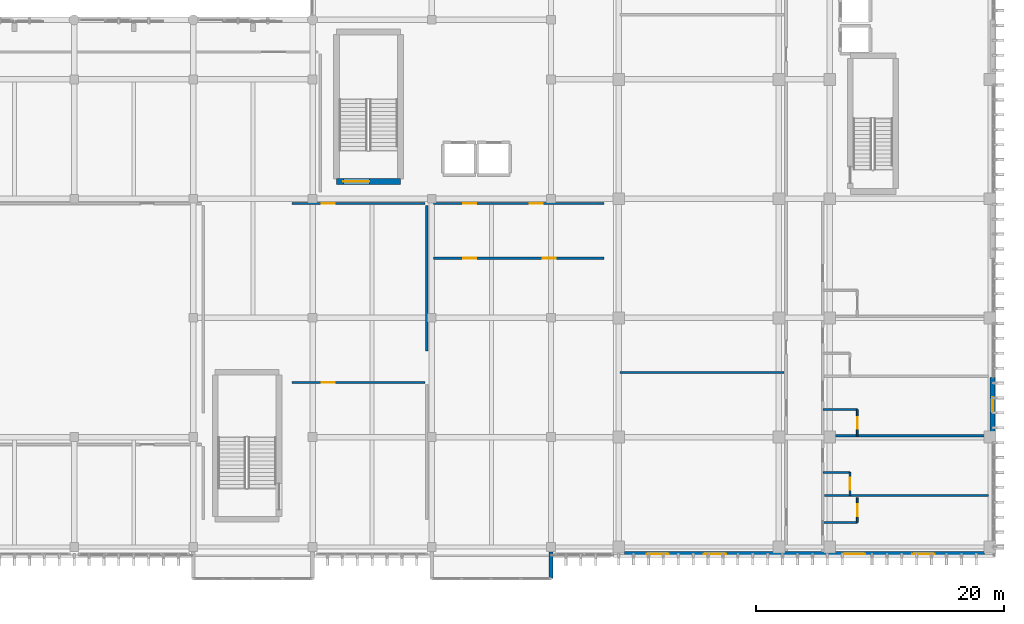
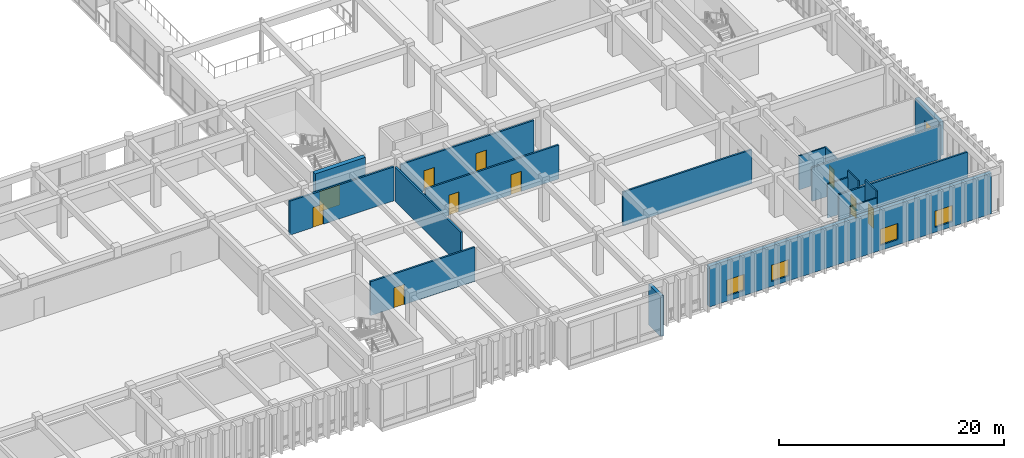
# One storey, part 103 of 133: 18 walls, 10 doors, 5 windows, 15 openings.
"""IFC4 building model written with IfcOpenShell, lengths in metres."""

from ifc_helpers import new_model, si_unit, direction, frame, frame_2d, origin, place, context, subcontext, project, spatial, rectangle, extrude, material, layer, layer_set, type_object, element, fill, save


model = new_model("IFC4")

# Units and contexts
model_context = context("Model", 3, precision=1e-05, world=origin(), true_north=direction((0.0, 1.0)))
body_context = subcontext(model_context, "Body", "Model", "MODEL_VIEW")
ifc_project = project(units=[si_unit("LENGTHUNIT", "METRE"), si_unit("AREAUNIT", "SQUARE_METRE"), si_unit("VOLUMEUNIT", "CUBIC_METRE"), si_unit("PLANEANGLEUNIT", "RADIAN"), si_unit("MASSUNIT", "GRAM", prefix="KILO")], contexts=[model_context])

# Site, building, storey
site_placement = place(None, origin())
site = spatial("IfcSite", under=ifc_project, at=site_placement, CompositionType="ELEMENT")
building_placement = place(site_placement, origin())
building = spatial("IfcBuilding", under=site, at=building_placement, Name="Nakhvara Creek Congress Hotel", CompositionType="ELEMENT")
storey_placement = place(building_placement, frame((0.0, 0.0, 11.39990234375)))
storey = spatial("IfcBuildingStorey", under=building, at=storey_placement, Name="L02", CompositionType="ELEMENT", Elevation=11.39990234375)

# Wall
ifc_material_1 = material(Name="Champagne-bronze anodised aluminium cassette", Category="aluminium")
ifc_layer_1 = layer(ifc_material_1, 0.030029296875)
ifc_material_2 = material(Name="Mineral wool thermal insulation")
ifc_layer_2 = layer(ifc_material_2, 0.10009765625)
ifc_material_3 = material(Name="Precast concrete C40/50", Category="concrete")
ifc_layer_3 = layer(ifc_material_3, 0.169921875)
ifc_layer_set_1 = layer_set([ifc_layer_1, ifc_layer_2, ifc_layer_3], Name="Precast concrete C40/50")
wall_type_1 = type_object("IfcWallType", Name="W-BOX-300", PredefinedType="SOLIDWALL", material=ifc_layer_set_1)
wall_1_placement = place(storey_placement, frame((144.0, 0.35009765625, 0.0), z_axis=(0.0, 0.0, 1.0), x_axis=(0.0, -1.0, 0.0)))
element("IfcWall", 1, at=wall_1_placement, inside=storey, type_object=wall_type_1, Name="Exterior Wall WE06-EW-L02-0083", PredefinedType="SOLIDWALL", context=body_context, shape_type="SweptSolid", body=[
    extrude(rectangle(XDim=2.150146484375, YDim=0.300048828125, at=frame_2d((1.0751953125, 0.0))), origin(), (0.0, 0.0, 1.0), 4.420166015625),
])

# Wall, opening, door
ifc_material_4 = material(Name="Concrete C50/60", Category="concrete")
ifc_layer_4 = layer(ifc_material_4, 0.449951171875)
ifc_layer_set_2 = layer_set([ifc_layer_4], Name="Concrete C50/60")
wall_type_2 = type_object("IfcWallType", Name="W-CORE-450", PredefinedType="SHEAR", material=ifc_layer_set_2)
wall_2_placement = place(storey_placement, frame((126.72998046875, 30.179931640625, 0.0), z_axis=(0.0, 0.0, 1.0), x_axis=(1.0, 0.0, 0.0)))
wall_2 = element("IfcWall", 2, at=wall_2_placement, inside=storey, type_object=wall_type_2, Name="Core Shear Wall WS02-CWALL-L02-0825", PredefinedType="SHEAR", context=body_context, shape_type="SweptSolid", body=[
    extrude(rectangle(XDim=5.14990234375, YDim=0.449951171875, at=frame_2d((2.574951171875, 0.0))), origin(), (0.0, 0.0, 1.0), 4.420166015625),
])
opening_1_placement = place(wall_2_placement, frame((0.550048828125, 0.0, 0.0)))
opening_1 = element("IfcOpeningElement", 3, at=opening_1_placement, cuts=wall_2, Name="Opening FD19", PredefinedType="OPENING", context=body_context, shape_type="SweptSolid", body=[
    extrude(rectangle(XDim=2.10009765625, YDim=2.199951171875, at=frame_2d((1.050048828125, 1.10009765625))), frame((0.0, 0.23681640625, 0.0), z_axis=(0.0, -1.0, 0.0), x_axis=(1.0, 0.0, 0.0)), (0.0, 0.0, 1.0), 0.473876953125),
])
ifc_material_5 = material(Name="Galvanised steel acoustic fire door", Category="steel")
door_type_1 = type_object("IfcDoorType", Name="DT-STAIR-220", OperationType="DOUBLE_DOOR_SINGLE_SWING", PredefinedType="DOOR", material=ifc_material_5)
door_1_placement = place(opening_1_placement, frame((2.10009765625, 0.0, 0.0), z_axis=(0.0, 0.0, 1.0), x_axis=(-1.0, 0.0, 0.0)))
door_1 = element("IfcDoor", 4, at=door_1_placement, inside=storey, type_object=door_type_1, Name="Stair Exit Door ST06-L02", OperationType="DOUBLE_DOOR_SINGLE_SWING", OverallHeight=2.199951171875, OverallWidth=2.10009765625, PredefinedType="DOOR", context=body_context, shape_type="SweptSolid", body=[
    extrude(rectangle(XDim=2.10009765625, YDim=2.199951171875, at=frame_2d((1.050048828125, 1.10009765625))), frame((0.0, 0.02490234375, 0.0), z_axis=(0.0, -1.0, 0.0), x_axis=(1.0, 0.0, 0.0)), (0.0, 0.0, 1.0), 0.050048828125),
])
fill(opening_1, door_1)

ifc_material_6 = material(Name="Moisture-resistant gypsum board partition")
ifc_layer_5 = layer(ifc_material_6, 0.139892578125)
ifc_layer_set_3 = layer_set([ifc_layer_5], Name="Moisture-resistant gypsum board partition")
wall_type_3 = type_object("IfcWallType", Name="W-ENS-140", PredefinedType="PARTITIONING", material=ifc_layer_set_3)
wall_3_placement = place(storey_placement, frame((168.669921875, 2.721923828125, 0.0), z_axis=(0.0, 0.0, 1.0), x_axis=(0.0, 1.0, 0.0)))
wall_3 = element("IfcWall", 5, at=wall_3_placement, inside=storey, type_object=wall_type_3, Name="Interior Wall WP15-IW-L02-0159", PredefinedType="PARTITIONING", context=body_context, shape_type="SweptSolid", body=[
    extrude(rectangle(XDim=1.97802734375, YDim=0.139892578125, at=frame_2d((0.989013671875, 0.0))), origin(), (0.0, 0.0, 1.0), 4.420166015625),
])
opening_2_placement = place(wall_3_placement, frame((0.513916015625, 0.0, 0.0)))
opening_2 = element("IfcOpeningElement", 6, at=opening_2_placement, cuts=wall_3, Name="Opening ID02", PredefinedType="OPENING", context=body_context, shape_type="SweptSolid", body=[
    extrude(rectangle(XDim=0.9599609375, YDim=2.1201171875, at=frame_2d((0.47998046875, 1.06005859375))), frame((0.0, 0.08203125, 0.0), z_axis=(0.0, -1.0, 0.0), x_axis=(1.0, 0.0, 0.0)), (0.0, 0.0, 1.0), 0.163818359375),
])
ifc_material_7 = material(Name="Moisture-resistant walnut timber door", Category="wood")
door_type_2 = type_object("IfcDoorType", Name="DT-ENS-096", OperationType="NOTDEFINED", PredefinedType="DOOR", material=ifc_material_7)
door_2_placement = place(opening_2_placement, frame((0.9599609375, 0.0, 0.0), z_axis=(0.0, 0.0, 1.0), x_axis=(-1.0, 0.0, 0.0)))
door_2 = element("IfcDoor", 7, at=door_2_placement, inside=storey, type_object=door_type_2, Name="Interior Door ID02-0162", OperationType="SINGLE_SWING_LEFT", OverallHeight=2.1201171875, OverallWidth=0.9599609375, PredefinedType="DOOR", context=body_context, shape_type="SweptSolid", body=[
    extrude(rectangle(XDim=0.9599609375, YDim=2.1201171875, at=frame_2d((0.47998046875, 1.06005859375))), frame((0.0, 0.02490234375, 0.0), z_axis=(0.0, -1.0, 0.0), x_axis=(1.0, 0.0, 0.0)), (0.0, 0.0, 1.0), 0.050048828125),
])
fill(opening_2, door_2)

# Wall
wall_4_placement = place(storey_placement, frame((165.919921875, 2.721923828125, 0.0), z_axis=(0.0, 0.0, 1.0), x_axis=(1.0, 0.0, 0.0)))
element("IfcWall", 8, at=wall_4_placement, inside=storey, type_object=wall_type_3, Name="Interior Wall WP15-IW-L02-0160", PredefinedType="PARTITIONING", context=body_context, shape_type="SweptSolid", body=[
    extrude(rectangle(XDim=2.75, YDim=0.139892578125, at=frame_2d((1.375, 0.0))), origin(), (0.0, 0.0, 1.0), 3.692138671875),
])

# Wall, opening, door
wall_5_placement = place(storey_placement, frame((168.070068359375, 4.89990234375, 0.0), z_axis=(0.0, 0.0, 1.0), x_axis=(0.0, 1.0, 0.0)))
wall_5 = element("IfcWall", 9, at=wall_5_placement, inside=storey, type_object=wall_type_3, Name="Interior Wall WP15-IW-L02-0162", PredefinedType="PARTITIONING", context=body_context, shape_type="SweptSolid", body=[
    extrude(rectangle(XDim=1.85009765625, YDim=0.139892578125, at=frame_2d((0.925048828125, 0.0))), origin(), (0.0, 0.0, 1.0), 4.420166015625),
])
opening_3_placement = place(wall_5_placement, frame((0.449951171875, 0.0, 0.0)))
opening_3 = element("IfcOpeningElement", 10, at=opening_3_placement, cuts=wall_5, Name="Opening ID02", PredefinedType="OPENING", context=body_context, shape_type="SweptSolid", body=[
    extrude(rectangle(XDim=0.9599609375, YDim=2.1201171875, at=frame_2d((0.47998046875, 1.06005859375))), frame((0.0, 0.08203125, 0.0), z_axis=(0.0, -1.0, 0.0), x_axis=(1.0, 0.0, 0.0)), (0.0, 0.0, 1.0), 0.163818359375),
])
door_3_placement = place(opening_3_placement, frame((0.9599609375, 0.0, 0.0), z_axis=(0.0, 0.0, 1.0), x_axis=(-1.0, 0.0, 0.0)))
door_3 = element("IfcDoor", 11, at=door_3_placement, inside=storey, type_object=door_type_2, Name="Interior Door ID02-0164", OperationType="SINGLE_SWING_LEFT", OverallHeight=2.1201171875, OverallWidth=0.9599609375, PredefinedType="DOOR", context=body_context, shape_type="SweptSolid", body=[
    extrude(rectangle(XDim=0.9599609375, YDim=2.1201171875, at=frame_2d((0.47998046875, 1.06005859375))), frame((0.0, 0.02490234375, 0.0), z_axis=(0.0, -1.0, 0.0), x_axis=(1.0, 0.0, 0.0)), (0.0, 0.0, 1.0), 0.050048828125),
])
fill(opening_3, door_3)

# Wall
wall_6_placement = place(storey_placement, frame((165.919921875, 6.75, 0.0), z_axis=(0.0, 0.0, 1.0), x_axis=(1.0, 0.0, 0.0)))
element("IfcWall", 12, at=wall_6_placement, inside=storey, type_object=wall_type_3, Name="Interior Wall WP15-IW-L02-0163", PredefinedType="PARTITIONING", context=body_context, shape_type="SweptSolid", body=[
    extrude(rectangle(XDim=2.150146484375, YDim=0.139892578125, at=frame_2d((1.0751953125, 0.0))), origin(), (0.0, 0.0, 1.0), 3.692138671875),
])

# Wall, opening, door
wall_7_placement = place(storey_placement, frame((168.669921875, 9.699951171875, 0.0), z_axis=(0.0, 0.0, 1.0), x_axis=(0.0, 1.0, 0.0)))
wall_7 = element("IfcWall", 13, at=wall_7_placement, inside=storey, type_object=wall_type_3, Name="Interior Wall WP15-IW-L02-0165", PredefinedType="PARTITIONING", context=body_context, shape_type="SweptSolid", body=[
    extrude(rectangle(XDim=2.115966796875, YDim=0.139892578125, at=frame_2d((1.05810546875, 0.0))), origin(), (0.0, 0.0, 1.0), 3.692138671875),
])
opening_4_placement = place(wall_7_placement, frame((0.5830078125, 0.0, 0.0)))
opening_4 = element("IfcOpeningElement", 14, at=opening_4_placement, cuts=wall_7, Name="Opening ID01", PredefinedType="OPENING", context=body_context, shape_type="SweptSolid", body=[
    extrude(rectangle(XDim=0.919921875, YDim=2.10009765625, at=frame_2d((0.4599609375, 1.050048828125))), frame((0.0, 0.08203125, 0.0), z_axis=(0.0, -1.0, 0.0), x_axis=(1.0, 0.0, 0.0)), (0.0, 0.0, 1.0), 0.163818359375),
])
door_type_3 = type_object("IfcDoorType", Name="DT-ENS-092", OperationType="NOTDEFINED", PredefinedType="DOOR", material=ifc_material_7)
door_4_placement = place(opening_4_placement, frame((0.919921875, 0.0, 0.0), z_axis=(0.0, 0.0, 1.0), x_axis=(-1.0, 0.0, 0.0)))
door_4 = element("IfcDoor", 15, at=door_4_placement, inside=storey, type_object=door_type_3, Name="Interior Door ID01-0166", OperationType="SINGLE_SWING_LEFT", OverallHeight=2.10009765625, OverallWidth=0.919921875, PredefinedType="DOOR", context=body_context, shape_type="SweptSolid", body=[
    extrude(rectangle(XDim=0.919921875, YDim=2.10009765625, at=frame_2d((0.4599609375, 1.050048828125))), frame((0.0, 0.02490234375, 0.0), z_axis=(0.0, -1.0, 0.0), x_axis=(1.0, 0.0, 0.0)), (0.0, 0.0, 1.0), 0.050048828125),
])
fill(opening_4, door_4)

# Wall
wall_8_placement = place(storey_placement, frame((165.919921875, 11.81591796875, 0.0), z_axis=(0.0, 0.0, 1.0), x_axis=(1.0, 0.0, 0.0)))
element("IfcWall", 16, at=wall_8_placement, inside=storey, type_object=wall_type_3, Name="Interior Wall WP15-IW-L02-0166", PredefinedType="PARTITIONING", context=body_context, shape_type="SweptSolid", body=[
    extrude(rectangle(XDim=2.75, YDim=0.139892578125, at=frame_2d((1.375, 0.0))), origin(), (0.0, 0.0, 1.0), 3.692138671875),
])

# Wall, openings, windows
ifc_material_8 = material(Name="Honed pale Omani limestone cladding", Category="masonry")
ifc_layer_6 = layer(ifc_material_8, 0.050048828125)
ifc_layer_7 = layer(ifc_material_2, 0.110107421875)
ifc_layer_8 = layer(ifc_material_3, 0.219970703125)
ifc_layer_set_4 = layer_set([ifc_layer_6, ifc_layer_7, ifc_layer_8], Name="Precast concrete C40/50")
wall_type_4 = type_object("IfcWallType", Name="W-EXT-380", PredefinedType="SOLIDWALL", material=ifc_layer_set_4)
wall_9_placement = place(storey_placement, frame((178.89990234375, 0.18994140625, 0.0), z_axis=(0.0, 0.0, 1.0), x_axis=(-1.0, 0.0, 0.0)))
wall_9 = element("IfcWall", 17, at=wall_9_placement, inside=storey, type_object=wall_type_4, Name="Exterior Wall WE03-EW-L02-0108", PredefinedType="SOLIDWALL", context=body_context, shape_type="SweptSolid", body=[
    extrude(rectangle(XDim=29.0, YDim=0.3798828125, at=frame_2d((14.5, 0.0))), origin(), (0.0, 0.0, 1.0), 4.420166015625),
])
opening_5_placement = place(wall_9_placement, frame((4.0, 0.0, 0.550048828125)))
opening_5 = element("IfcOpeningElement", 18, at=opening_5_placement, cuts=wall_9, Name="Opening WN0117", PredefinedType="OPENING", context=body_context, shape_type="SweptSolid", body=[
    extrude(rectangle(XDim=1.800048828125, YDim=1.760009765625, at=frame_2d((0.89990234375, 0.8798828125))), frame((0.0, 0.201904296875, 0.0), z_axis=(0.0, -1.0, 0.0), x_axis=(1.0, 0.0, 0.0)), (0.0, 0.0, 1.0), 0.40380859375),
])
opening_6_placement = place(wall_9_placement, frame((9.60009765625, 0.0, 0.550048828125)))
opening_6 = element("IfcOpeningElement", 19, at=opening_6_placement, cuts=wall_9, Name="Opening WN0118", PredefinedType="OPENING", context=body_context, shape_type="SweptSolid", body=[
    extrude(rectangle(XDim=1.800048828125, YDim=1.760009765625, at=frame_2d((0.89990234375, 0.8798828125))), frame((0.0, 0.201904296875, 0.0), z_axis=(0.0, -1.0, 0.0), x_axis=(1.0, 0.0, 0.0)), (0.0, 0.0, 1.0), 0.40380859375),
])
opening_7_placement = place(wall_9_placement, frame((20.800048828125, 0.0, 0.550048828125)))
opening_7 = element("IfcOpeningElement", 20, at=opening_7_placement, cuts=wall_9, Name="Opening WN0119", PredefinedType="OPENING", context=body_context, shape_type="SweptSolid", body=[
    extrude(rectangle(XDim=1.800048828125, YDim=1.760009765625, at=frame_2d((0.89990234375, 0.8798828125))), frame((0.0, 0.201904296875, 0.0), z_axis=(0.0, -1.0, 0.0), x_axis=(1.0, 0.0, 0.0)), (0.0, 0.0, 1.0), 0.40380859375),
])
opening_8_placement = place(wall_9_placement, frame((25.39990234375, 0.0, 0.550048828125)))
opening_8 = element("IfcOpeningElement", 21, at=opening_8_placement, cuts=wall_9, Name="Opening WN0120", PredefinedType="OPENING", context=body_context, shape_type="SweptSolid", body=[
    extrude(rectangle(XDim=1.800048828125, YDim=1.760009765625, at=frame_2d((0.89990234375, 0.8798828125))), frame((0.0, 0.201904296875, 0.0), z_axis=(0.0, -1.0, 0.0), x_axis=(1.0, 0.0, 0.0)), (0.0, 0.0, 1.0), 0.40380859375),
])
ifc_material_9 = material(Name="Thermally broken bronze-anodised aluminium and double-silver low-E insulated glass", Category="aluminium")
window_type_1 = type_object("IfcWindowType", Name="WN-LAN-180X225", PartitioningType="SINGLE_PANEL", PredefinedType="WINDOW", material=ifc_material_9)
window_1_placement = place(opening_5_placement, origin())
window_1 = element("IfcWindow", 22, at=window_1_placement, inside=storey, type_object=window_type_1, Name="Facade Window WN0117", OverallHeight=1.760009765625, OverallWidth=1.800048828125, PartitioningType="SINGLE_PANEL", PredefinedType="WINDOW", context=body_context, shape_type="SweptSolid", body=[
    extrude(rectangle(XDim=1.800048828125, YDim=1.760009765625, at=frame_2d((0.89990234375, 0.8798828125))), frame((0.0, 0.030029296875, 0.0), z_axis=(0.0, -1.0, 0.0), x_axis=(1.0, 0.0, 0.0)), (0.0, 0.0, 1.0), 0.06005859375),
])
fill(opening_5, window_1)
window_2_placement = place(opening_6_placement, origin())
window_2 = element("IfcWindow", 23, at=window_2_placement, inside=storey, type_object=window_type_1, Name="Facade Window WN0118", OverallHeight=1.760009765625, OverallWidth=1.800048828125, PartitioningType="SINGLE_PANEL", PredefinedType="WINDOW", context=body_context, shape_type="SweptSolid", body=[
    extrude(rectangle(XDim=1.800048828125, YDim=1.760009765625, at=frame_2d((0.89990234375, 0.8798828125))), frame((0.0, 0.030029296875, 0.0), z_axis=(0.0, -1.0, 0.0), x_axis=(1.0, 0.0, 0.0)), (0.0, 0.0, 1.0), 0.06005859375),
])
fill(opening_6, window_2)
window_3_placement = place(opening_7_placement, origin())
window_3 = element("IfcWindow", 24, at=window_3_placement, inside=storey, type_object=window_type_1, Name="Facade Window WN0119", OverallHeight=1.760009765625, OverallWidth=1.800048828125, PartitioningType="SINGLE_PANEL", PredefinedType="WINDOW", context=body_context, shape_type="SweptSolid", body=[
    extrude(rectangle(XDim=1.800048828125, YDim=1.760009765625, at=frame_2d((0.89990234375, 0.8798828125))), frame((0.0, 0.030029296875, 0.0), z_axis=(0.0, -1.0, 0.0), x_axis=(1.0, 0.0, 0.0)), (0.0, 0.0, 1.0), 0.06005859375),
])
fill(opening_7, window_3)
window_4_placement = place(opening_8_placement, origin())
window_4 = element("IfcWindow", 25, at=window_4_placement, inside=storey, type_object=window_type_1, Name="Facade Window WN0120", OverallHeight=1.760009765625, OverallWidth=1.800048828125, PartitioningType="SINGLE_PANEL", PredefinedType="WINDOW", context=body_context, shape_type="SweptSolid", body=[
    extrude(rectangle(XDim=1.800048828125, YDim=1.760009765625, at=frame_2d((0.89990234375, 0.8798828125))), frame((0.0, 0.030029296875, 0.0), z_axis=(0.0, -1.0, 0.0), x_axis=(1.0, 0.0, 0.0)), (0.0, 0.0, 1.0), 0.06005859375),
])
fill(opening_8, window_4)

# Wall, opening, window
wall_10_placement = place(storey_placement, frame((179.56005859375, 14.39990234375, 0.0), z_axis=(0.0, 0.0, 1.0), x_axis=(0.0, -1.0, 0.0)))
wall_10 = element("IfcWall", 26, at=wall_10_placement, inside=storey, type_object=wall_type_4, Name="Exterior Wall WE03-EW-L02-0109", PredefinedType="SOLIDWALL", context=body_context, shape_type="SweptSolid", body=[
    extrude(rectangle(XDim=4.349853515625, YDim=0.3798828125, at=frame_2d((2.1748046875, 0.0))), origin(), (0.0, 0.0, 1.0), 3.662109375),
])
opening_9_placement = place(wall_10_placement, frame((1.610107421875, 0.0, 0.550048828125)))
opening_9 = element("IfcOpeningElement", 27, at=opening_9_placement, cuts=wall_10, Name="Opening WN0121", PredefinedType="OPENING", context=body_context, shape_type="SweptSolid", body=[
    extrude(rectangle(XDim=1.199951171875, YDim=1.719970703125, at=frame_2d((0.60009765625, 0.85986328125))), frame((0.0, 0.201904296875, 0.0), z_axis=(0.0, -1.0, 0.0), x_axis=(1.0, 0.0, 0.0)), (0.0, 0.0, 1.0), 0.40380859375),
])
window_type_2 = type_object("IfcWindowType", Name="WN-LAN-120X220", PartitioningType="SINGLE_PANEL", PredefinedType="WINDOW", material=ifc_material_9)
window_5_placement = place(opening_9_placement, origin())
window_5 = element("IfcWindow", 28, at=window_5_placement, inside=storey, type_object=window_type_2, Name="Facade Window WN0121", OverallHeight=1.719970703125, OverallWidth=1.199951171875, PartitioningType="SINGLE_PANEL", PredefinedType="WINDOW", context=body_context, shape_type="SweptSolid", body=[
    extrude(rectangle(XDim=1.199951171875, YDim=1.719970703125, at=frame_2d((0.60009765625, 0.85986328125))), frame((0.0, 0.030029296875, 0.0), z_axis=(0.0, -1.0, 0.0), x_axis=(1.0, 0.0, 0.0)), (0.0, 0.0, 1.0), 0.06005859375),
])
fill(opening_9, window_5)

# Wall, opening, door
ifc_material_10 = material(Name="Gypsum acoustic board on steel stud", Category="steel")
ifc_layer_9 = layer(ifc_material_10, 0.179931640625)
ifc_layer_set_5 = layer_set([ifc_layer_9], Name="Gypsum acoustic board on steel stud")
wall_type_5 = type_object("IfcWallType", Name="W-MEET-180", PredefinedType="PARTITIONING", material=ifc_layer_set_5)
wall_11_placement = place(storey_placement, frame((123.14990234375, 14.0, 0.0), z_axis=(0.0, 0.0, 1.0), x_axis=(1.0, 0.0, 0.0)))
wall_11 = element("IfcWall", 29, at=wall_11_placement, inside=storey, type_object=wall_type_5, Name="Interior Wall WP13-IW-L02-0147", PredefinedType="PARTITIONING", context=body_context, shape_type="SweptSolid", body=[
    extrude(rectangle(XDim=10.7001953125, YDim=0.179931640625, at=frame_2d((5.35009765625, 0.0))), origin(), (0.0, 0.0, 1.0), 3.692138671875),
])
opening_10_placement = place(wall_11_placement, frame((2.39990234375, 0.0, 0.0)))
opening_10 = element("IfcOpeningElement", 30, at=opening_10_placement, cuts=wall_11, Name="Opening ID04", PredefinedType="OPENING", context=body_context, shape_type="SweptSolid", body=[
    extrude(rectangle(XDim=1.050048828125, YDim=2.179931640625, at=frame_2d((0.52490234375, 1.08984375))), frame((0.0, 0.10205078125, 0.0), z_axis=(0.0, -1.0, 0.0), x_axis=(1.0, 0.0, 0.0)), (0.0, 0.0, 1.0), 0.203857421875),
])
ifc_material_11 = material(Name="Teak timber & frosted glass spa door", Category="wood")
door_type_4 = type_object("IfcDoorType", Name="DT-SPA-105", OperationType="NOTDEFINED", PredefinedType="DOOR", material=ifc_material_11)
door_5_placement = place(opening_10_placement, origin())
door_5 = element("IfcDoor", 31, at=door_5_placement, inside=storey, type_object=door_type_4, Name="Interior Door ID04-0147", OperationType="SINGLE_SWING_RIGHT", OverallHeight=2.179931640625, OverallWidth=1.050048828125, PredefinedType="DOOR", context=body_context, shape_type="SweptSolid", body=[
    extrude(rectangle(XDim=1.050048828125, YDim=2.179931640625, at=frame_2d((0.52490234375, 1.08984375))), frame((0.0, 0.02490234375, 0.0), z_axis=(0.0, -1.0, 0.0), x_axis=(1.0, 0.0, 0.0)), (0.0, 0.0, 1.0), 0.050048828125),
])
fill(opening_10, door_5)

wall_12_placement = place(storey_placement, frame((123.14990234375, 28.39990234375, 0.0), z_axis=(0.0, 0.0, 1.0), x_axis=(1.0, 0.0, 0.0)))
wall_12 = element("IfcWall", 32, at=wall_12_placement, inside=storey, type_object=wall_type_5, Name="Interior Wall WP13-IW-L02-0149", PredefinedType="PARTITIONING", context=body_context, shape_type="SweptSolid", body=[
    extrude(rectangle(XDim=10.7001953125, YDim=0.179931640625, at=frame_2d((5.35009765625, 0.0))), origin(), (0.0, 0.0, 1.0), 3.692138671875),
])
opening_11_placement = place(wall_12_placement, frame((2.39990234375, 0.0, 0.0)))
opening_11 = element("IfcOpeningElement", 33, at=opening_11_placement, cuts=wall_12, Name="Opening ID04", PredefinedType="OPENING", context=body_context, shape_type="SweptSolid", body=[
    extrude(rectangle(XDim=1.050048828125, YDim=2.179931640625, at=frame_2d((0.52490234375, 1.08984375))), frame((0.0, 0.10205078125, 0.0), z_axis=(0.0, -1.0, 0.0), x_axis=(1.0, 0.0, 0.0)), (0.0, 0.0, 1.0), 0.203857421875),
])
door_6_placement = place(opening_11_placement, origin())
door_6 = element("IfcDoor", 34, at=door_6_placement, inside=storey, type_object=door_type_4, Name="Interior Door ID04-0148", OperationType="SINGLE_SWING_LEFT", OverallHeight=2.179931640625, OverallWidth=1.050048828125, PredefinedType="DOOR", context=body_context, shape_type="SweptSolid", body=[
    extrude(rectangle(XDim=1.050048828125, YDim=2.179931640625, at=frame_2d((0.52490234375, 1.08984375))), frame((0.0, 0.02490234375, 0.0), z_axis=(0.0, -1.0, 0.0), x_axis=(1.0, 0.0, 0.0)), (0.0, 0.0, 1.0), 0.050048828125),
])
fill(opening_11, door_6)

# Wall
wall_13_placement = place(storey_placement, frame((134.0, 16.550048828125, 0.0), z_axis=(0.0, 0.0, 1.0), x_axis=(0.0, 1.0, 0.0)))
element("IfcWall", 35, at=wall_13_placement, inside=storey, type_object=wall_type_5, Name="Interior Wall WP13-IW-L02-0150", PredefinedType="PARTITIONING", context=body_context, shape_type="SweptSolid", body=[
    extrude(rectangle(XDim=11.699951171875, YDim=0.179931640625, at=frame_2d((5.85009765625, 0.0))), origin(), (0.0, 0.0, 1.0), 3.692138671875),
])

# Wall, openings, doors
wall_14_placement = place(storey_placement, frame((134.550048828125, 24.0, 0.0), z_axis=(0.0, 0.0, 1.0), x_axis=(1.0, 0.0, 0.0)))
wall_14 = element("IfcWall", 36, at=wall_14_placement, inside=storey, type_object=wall_type_5, Name="Interior Wall WP13-IW-L02-0151", PredefinedType="PARTITIONING", context=body_context, shape_type="SweptSolid", body=[
    extrude(rectangle(XDim=13.699951171875, YDim=0.179931640625, at=frame_2d((6.85009765625, 0.0))), origin(), (0.0, 0.0, 1.0), 3.692138671875),
])
opening_12_placement = place(wall_14_placement, frame((2.39990234375, 0.0, 0.0)))
opening_12 = element("IfcOpeningElement", 37, at=opening_12_placement, cuts=wall_14, Name="Opening ID04", PredefinedType="OPENING", context=body_context, shape_type="SweptSolid", body=[
    extrude(rectangle(XDim=1.050048828125, YDim=2.179931640625, at=frame_2d((0.52490234375, 1.08984375))), frame((0.0, 0.10205078125, 0.0), z_axis=(0.0, -1.0, 0.0), x_axis=(1.0, 0.0, 0.0)), (0.0, 0.0, 1.0), 0.203857421875),
])
opening_13_placement = place(wall_14_placement, frame((8.800048828125, 0.0, 0.0)))
opening_13 = element("IfcOpeningElement", 38, at=opening_13_placement, cuts=wall_14, Name="Opening ID04", PredefinedType="OPENING", context=body_context, shape_type="SweptSolid", body=[
    extrude(rectangle(XDim=1.050048828125, YDim=2.179931640625, at=frame_2d((0.52490234375, 1.08984375))), frame((0.0, 0.10205078125, 0.0), z_axis=(0.0, -1.0, 0.0), x_axis=(1.0, 0.0, 0.0)), (0.0, 0.0, 1.0), 0.203857421875),
])
door_7_placement = place(opening_12_placement, origin())
door_7 = element("IfcDoor", 39, at=door_7_placement, inside=storey, type_object=door_type_4, Name="Interior Door ID04-0149", OperationType="SINGLE_SWING_RIGHT", OverallHeight=2.179931640625, OverallWidth=1.050048828125, PredefinedType="DOOR", context=body_context, shape_type="SweptSolid", body=[
    extrude(rectangle(XDim=1.050048828125, YDim=2.179931640625, at=frame_2d((0.52490234375, 1.08984375))), frame((0.0, 0.02490234375, 0.0), z_axis=(0.0, -1.0, 0.0), x_axis=(1.0, 0.0, 0.0)), (0.0, 0.0, 1.0), 0.050048828125),
])
fill(opening_12, door_7)
door_8_placement = place(opening_13_placement, origin())
door_8 = element("IfcDoor", 40, at=door_8_placement, inside=storey, type_object=door_type_4, Name="Interior Door ID04-0150", OperationType="SINGLE_SWING_LEFT", OverallHeight=2.179931640625, OverallWidth=1.050048828125, PredefinedType="DOOR", context=body_context, shape_type="SweptSolid", body=[
    extrude(rectangle(XDim=1.050048828125, YDim=2.179931640625, at=frame_2d((0.52490234375, 1.08984375))), frame((0.0, 0.02490234375, 0.0), z_axis=(0.0, -1.0, 0.0), x_axis=(1.0, 0.0, 0.0)), (0.0, 0.0, 1.0), 0.050048828125),
])
fill(opening_13, door_8)

wall_15_placement = place(storey_placement, frame((134.550048828125, 28.39990234375, 0.0), z_axis=(0.0, 0.0, 1.0), x_axis=(1.0, 0.0, 0.0)))
wall_15 = element("IfcWall", 41, at=wall_15_placement, inside=storey, type_object=wall_type_5, Name="Interior Wall WP13-IW-L02-0152", PredefinedType="PARTITIONING", context=body_context, shape_type="SweptSolid", body=[
    extrude(rectangle(XDim=13.699951171875, YDim=0.179931640625, at=frame_2d((6.85009765625, 0.0))), origin(), (0.0, 0.0, 1.0), 3.692138671875),
])
opening_14_placement = place(wall_15_placement, frame((2.39990234375, 0.0, 0.0)))
opening_14 = element("IfcOpeningElement", 42, at=opening_14_placement, cuts=wall_15, Name="Opening ID04", PredefinedType="OPENING", context=body_context, shape_type="SweptSolid", body=[
    extrude(rectangle(XDim=1.050048828125, YDim=2.179931640625, at=frame_2d((0.52490234375, 1.08984375))), frame((0.0, 0.10205078125, 0.0), z_axis=(0.0, -1.0, 0.0), x_axis=(1.0, 0.0, 0.0)), (0.0, 0.0, 1.0), 0.203857421875),
])
opening_15_placement = place(wall_15_placement, frame((7.75, 0.0, 0.0)))
opening_15 = element("IfcOpeningElement", 43, at=opening_15_placement, cuts=wall_15, Name="Opening ID04", PredefinedType="OPENING", context=body_context, shape_type="SweptSolid", body=[
    extrude(rectangle(XDim=1.050048828125, YDim=2.179931640625, at=frame_2d((0.52490234375, 1.08984375))), frame((0.0, 0.10205078125, 0.0), z_axis=(0.0, -1.0, 0.0), x_axis=(1.0, 0.0, 0.0)), (0.0, 0.0, 1.0), 0.203857421875),
])
door_9_placement = place(opening_14_placement, origin())
door_9 = element("IfcDoor", 44, at=door_9_placement, inside=storey, type_object=door_type_4, Name="Interior Door ID04-0151", OperationType="SINGLE_SWING_RIGHT", OverallHeight=2.179931640625, OverallWidth=1.050048828125, PredefinedType="DOOR", context=body_context, shape_type="SweptSolid", body=[
    extrude(rectangle(XDim=1.050048828125, YDim=2.179931640625, at=frame_2d((0.52490234375, 1.08984375))), frame((0.0, 0.02490234375, 0.0), z_axis=(0.0, -1.0, 0.0), x_axis=(1.0, 0.0, 0.0)), (0.0, 0.0, 1.0), 0.050048828125),
])
fill(opening_14, door_9)
door_10_placement = place(opening_15_placement, origin())
door_10 = element("IfcDoor", 45, at=door_10_placement, inside=storey, type_object=door_type_4, Name="Interior Door ID04-0152", OperationType="SINGLE_SWING_LEFT", OverallHeight=2.179931640625, OverallWidth=1.050048828125, PredefinedType="DOOR", context=body_context, shape_type="SweptSolid", body=[
    extrude(rectangle(XDim=1.050048828125, YDim=2.179931640625, at=frame_2d((0.52490234375, 1.08984375))), frame((0.0, 0.02490234375, 0.0), z_axis=(0.0, -1.0, 0.0), x_axis=(1.0, 0.0, 0.0)), (0.0, 0.0, 1.0), 0.050048828125),
])
fill(opening_15, door_10)

# Walls
wall_16_placement = place(storey_placement, frame((149.550048828125, 14.800048828125, 0.0), z_axis=(0.0, 0.0, 1.0), x_axis=(1.0, 0.0, 0.0)))
element("IfcWall", 46, at=wall_16_placement, inside=storey, type_object=wall_type_5, Name="Interior Wall WP13-IW-L02-0157", PredefinedType="PARTITIONING", context=body_context, shape_type="SweptSolid", body=[
    extrude(rectangle(XDim=13.22998046875, YDim=0.179931640625, at=frame_2d((6.614990234375, 0.0))), origin(), (0.0, 0.0, 1.0), 3.692138671875),
])
for number, where, z_axis, x_axis, name in (
    (47, (166.02001953125, 4.89990234375, 0.0), (0.0, 0.0, 1.0), (1.0, 0.0, 0.0), "Interior Wall WP13-IW-L02-0161"),
    (48, (166.02001953125, 9.699951171875, 0.0), (0.0, 0.0, 1.0), (1.0, 0.0, 0.0), "Interior Wall WP13-IW-L02-0164"),
):
    element("IfcWall", number, at=place(storey_placement, frame(where, z_axis=z_axis, x_axis=x_axis)), inside=storey, type_object=wall_type_5, Name=name, PredefinedType="PARTITIONING", context=body_context, shape_type="SweptSolid", body=[
        extrude(rectangle(XDim=13.22998046875, YDim=0.179931640625, at=frame_2d((6.614990234375, 0.0))), origin(), (0.0, 0.0, 1.0), 3.662109375),
    ])

save(model, "model.ifc")
